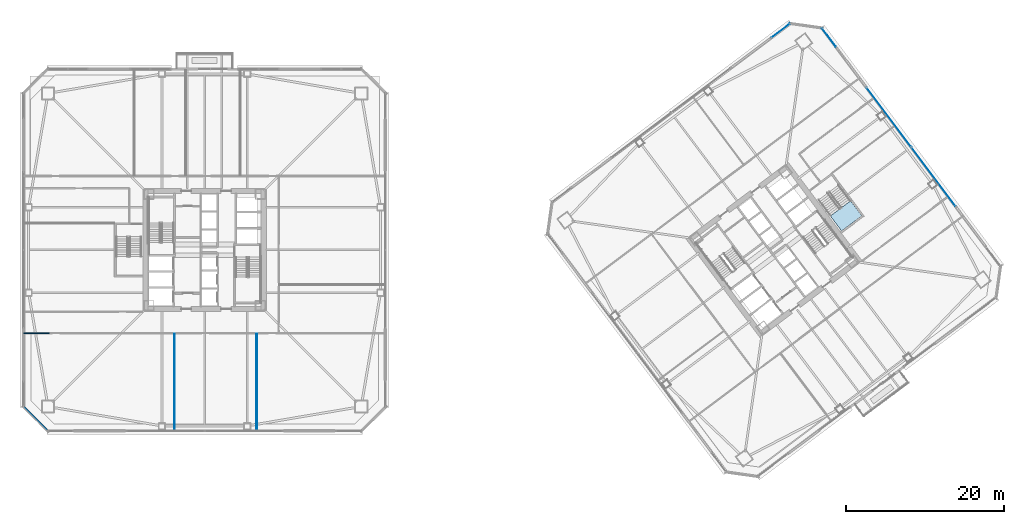
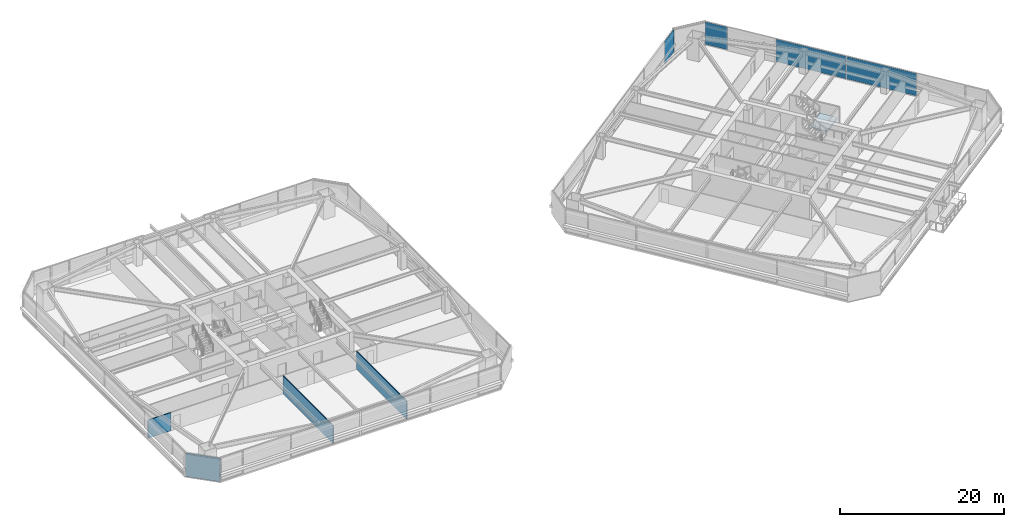
# One storey, part 38 of 51: 4 plates, 4 walls, 1 slab, 4 elements without a shape of their own.
"""IFC4 building model written with IfcOpenShell, lengths in metres."""

from ifc_helpers import new_model, si_unit, direction, frame, frame_2d, origin, origin_2d, place, context, subcontext, project, spatial, polyline, rectangle, outline, extrude, material, layer, layer_set, type_object, element, aggregate, save


model = new_model("IFC4")

# Units and contexts
model_context = context("Model", 3, precision=1e-05, world=origin(), true_north=direction((0.0, 1.0)))
body_context = subcontext(model_context, "Body", "Model", "MODEL_VIEW")
ifc_project = project(units=[si_unit("LENGTHUNIT", "METRE"), si_unit("AREAUNIT", "SQUARE_METRE"), si_unit("VOLUMEUNIT", "CUBIC_METRE"), si_unit("PLANEANGLEUNIT", "RADIAN"), si_unit("MASSUNIT", "GRAM", prefix="KILO")], contexts=[model_context])

# Site, building, storey
site_placement = place(None, origin())
site = spatial("IfcSite", under=ifc_project, at=site_placement, CompositionType="ELEMENT")
building_placement = place(site_placement, origin())
building = spatial("IfcBuilding", under=site, at=building_placement, Name="Tashvorn Skyway Center", CompositionType="ELEMENT")
storey_placement = place(building_placement, frame((0.0, 0.0, 49.449951171875)))
storey = spatial("IfcBuildingStorey", under=building, at=storey_placement, Name="L12", CompositionType="ELEMENT", Elevation=49.449951171875)

# Curtain wall, plate
ifc_material_1 = material(Name="Thermally broken bronze-anodized aluminium 6063-T6", Category="aluminium")
curtain_wall_type = type_object("IfcCurtainWallType", Name="CW-CW-Z1", PredefinedType="NOTDEFINED", material=ifc_material_1)
curtain_wall_1_placement = place(storey_placement, origin())
curtain_wall_1 = element("IfcCurtainWall", 1, at=curtain_wall_1_placement, inside=storey, type_object=curtain_wall_type, Name="Tower 2 L12 North Unitised Curtain Wall Glazing Group 3", PredefinedType="NOTDEFINED")
ifc_material_2 = material(Name="Low-E solar-control double insulating safety glass", Category="glass")
ifc_layer_1 = layer(ifc_material_2, 0.048095703125)
ifc_layer_set_1 = layer_set([ifc_layer_1], Name="Low-E solar-control double insulating safety glass")
plate_type = type_object("IfcPlateType", Name="CWP-CW-Z1", PredefinedType="CURTAIN_PANEL", material=ifc_layer_set_1)
plate_1_placement = place(storey_placement, frame((114.83740234375, 59.72802734375, 0.085205078125), z_axis=(0.0, 0.0, 1.0), x_axis=(0.799996186392, 0.600005084776, 0.0)))
plate_1 = element("IfcPlate", 2, at=plate_1_placement, type_object=plate_type, Name="CW-Z1 panel 1.1", PredefinedType="CURTAIN_PANEL", context=body_context, shape_type="SweptSolid", body=[
    extrude(rectangle(XDim=2.9765625, YDim=0.048095703125, at=origin_2d()), origin(), (0.0, 0.0, 1.0), 3.3798828125),
])
aggregate(curtain_wall_1, [plate_1])

curtain_wall_2_placement = place(storey_placement, origin())
curtain_wall_2 = element("IfcCurtainWall", 3, at=curtain_wall_2_placement, inside=storey, type_object=curtain_wall_type, Name="Tower 2 L12 East Unitised Curtain Wall Glazing Group 1", PredefinedType="NOTDEFINED")
plate_2_placement = place(storey_placement, frame((120.9599609375, 58.853271484375, 0.085205078125), z_axis=(0.0, 0.0, 1.0), x_axis=(0.600005084776, -0.799996186392, 0.0)))
plate_2 = element("IfcPlate", 4, at=plate_2_placement, type_object=plate_type, Name="CW-Z1 panel 1.1", PredefinedType="CURTAIN_PANEL", context=body_context, shape_type="SweptSolid", body=[
    extrude(rectangle(XDim=2.9765625, YDim=0.048095703125, at=origin_2d()), origin(), (0.0, 0.0, 1.0), 3.3798828125),
])
aggregate(curtain_wall_2, [plate_2])

# Curtain wall, plates
curtain_wall_3_placement = place(storey_placement, origin())
curtain_wall_3 = element("IfcCurtainWall", 5, at=curtain_wall_3_placement, inside=storey, type_object=curtain_wall_type, Name="Tower 2 L12 East Unitised Curtain Wall Glazing Group 2", PredefinedType="NOTDEFINED")
plate_3_placement = place(storey_placement, frame((128.524658203125, 48.76708984375, 0.085205078125), z_axis=(0.0, 0.0, 1.0), x_axis=(0.600000000002, -0.799999999998, 0.0)))
plate_3 = element("IfcPlate", 6, at=plate_3_placement, type_object=plate_type, Name="CW-Z1 panel 1.1", PredefinedType="CURTAIN_PANEL", context=body_context, shape_type="SweptSolid", body=[
    extrude(rectangle(XDim=9.3125, YDim=0.048095703125, at=origin_2d()), origin(), (0.0, 0.0, 1.0), 3.3798828125),
])
plate_4_placement = place(storey_placement, frame((134.163330078125, 41.2490234375, 0.085205078125), z_axis=(0.0, 0.0, 1.0), x_axis=(0.600000000002, -0.799999999998, 0.0)))
plate_4 = element("IfcPlate", 7, at=plate_4_placement, type_object=plate_type, Name="CW-Z1 panel 2.1", PredefinedType="CURTAIN_PANEL", context=body_context, shape_type="SweptSolid", body=[
    extrude(rectangle(XDim=9.3125, YDim=0.048095703125, at=origin_2d()), origin(), (0.0, 0.0, 1.0), 3.3798828125),
])
aggregate(curtain_wall_3, [plate_3, plate_4])

# Stair, slab
ifc_material_3 = material(Name="Concrete C40/50", Category="concrete")
stair_type = type_object("IfcStairType", Name="STAIR-CORE-1500", PredefinedType="HALF_TURN_STAIR", material=ifc_material_3)
stair_placement = place(storey_placement, origin())
stair = element("IfcStair", 8, at=stair_placement, inside=storey, type_object=stair_type, Name="L12 Tower 2 Exit Stair 3", PredefinedType="HALF_TURN_STAIR")
ifc_layer_2 = layer(ifc_material_3, 0.199951171875)
ifc_layer_set_2 = layer_set([ifc_layer_2], Name="Concrete C40/50")
slab_type = type_object("IfcSlabType", Name="SLAB-LAND-200", PredefinedType="LANDING", material=ifc_layer_set_2)
slab_placement = place(storey_placement, frame((0.0, 0.0, 1.574951171875)))
slab = element("IfcSlab", 9, at=slab_placement, type_object=slab_type, Name="ST-T2-3 landing 1", PredefinedType="LANDING", context=body_context, shape_type="SweptSolid", body=[
    extrude(outline(polyline([(121.123291015625, 36.302490234375), (122.5439453125, 34.407958984375), (125.10400390625, 36.327880859375), (123.68310546875, 38.222412109375), (121.123291015625, 36.302490234375)])), origin(), (0.0, 0.0, 1.0), 0.2001953125),
])
aggregate(stair, [slab])

# Walls
ifc_material_4 = material(Name="Precast concrete C40/50", Category="concrete")
ifc_layer_3 = layer(ifc_material_4, 0.280029296875)
ifc_layer_set_3 = layer_set([ifc_layer_3], Name="Precast concrete C40/50")
wall_type_1 = type_object("IfcWallType", Name="WALL-EXT-280", PredefinedType="SOLIDWALL", material=ifc_layer_set_3)
wall_1_placement = place(storey_placement, frame((22.199951171875, 9.10009765625, 0.0), z_axis=(0.0, 0.0, 1.0), x_axis=(-0.707106781187, 0.707106781187, 0.0)))
element("IfcWall", 10, at=wall_1_placement, inside=storey, type_object=wall_type_1, Name="Tower 1 L12 SW Precast Chamfer Wall", PredefinedType="SOLIDWALL", context=body_context, shape_type="SweptSolid", body=[
    extrude(rectangle(XDim=4.3837890625, YDim=0.280029296875, at=frame_2d((2.19189453125, 0.0))), origin(), (0.0, 0.0, 1.0), 3.35009765625),
])
ifc_material_5 = material(Name="Gypsum board on cold-formed steel stud framing", Category="steel")
ifc_layer_4 = layer(ifc_material_5, 0.110107421875)
ifc_layer_set_4 = layer_set([ifc_layer_4], Name="Gypsum board on cold-formed steel stud framing")
wall_type_2 = type_object("IfcWallType", Name="WALL-PART-110", PredefinedType="PARTITIONING", material=ifc_layer_set_4)
for number, where, z_axis, x_axis, name in (
    (11, (38.199951171875, 9.1201171875, 0.0), (0.0, 0.0, 1.0), (0.0, 1.0, 0.0), "Tower 1 L12 South Suite Partition 1"),
    (12, (48.60009765625, 9.1201171875, 0.0), (0.0, 0.0, 1.0), (0.0, 1.0, 0.0), "Tower 1 L12 South Suite Partition 2"),
):
    element("IfcWall", number, at=place(storey_placement, frame(where, z_axis=z_axis, x_axis=x_axis)), inside=storey, type_object=wall_type_2, Name=name, PredefinedType="PARTITIONING", context=body_context, shape_type="SweptSolid", body=[
        extrude(rectangle(XDim=12.27978515625, YDim=0.110107421875, at=frame_2d((6.139892578125, 0.0))), origin(), (0.0, 0.0, 1.0), 2.703125),
    ])
ifc_layer_5 = layer(ifc_material_5, 0.135009765625)
ifc_layer_set_5 = layer_set([ifc_layer_5], Name="Gypsum board on cold-formed steel stud framing")
wall_type_3 = type_object("IfcWallType", Name="WALL-PART-135", PredefinedType="PARTITIONING", material=ifc_layer_set_5)
wall_2_placement = place(storey_placement, frame((19.1201171875, 21.47998046875, 0.0), z_axis=(0.0, 0.0, 1.0), x_axis=(1.0, 0.0, 0.0)))
element("IfcWall", 13, at=wall_2_placement, inside=storey, type_object=wall_type_3, Name="Tower 1 L12 South-West Suite North Wall", PredefinedType="PARTITIONING", context=body_context, shape_type="SweptSolid", body=[
    extrude(rectangle(XDim=3.22998046875, YDim=0.135009765625, at=frame_2d((1.614990234375, 0.0))), origin(), (0.0, 0.0, 1.0), 2.703125),
])

save(model, "model.ifc")
